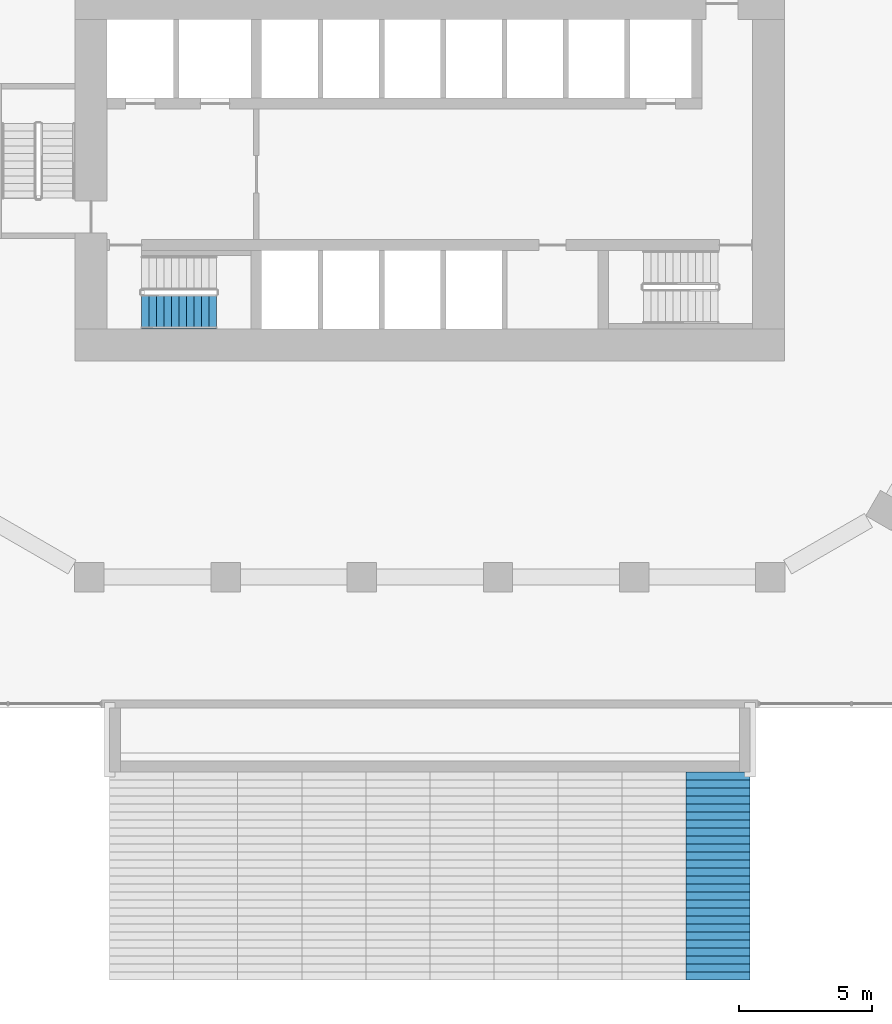
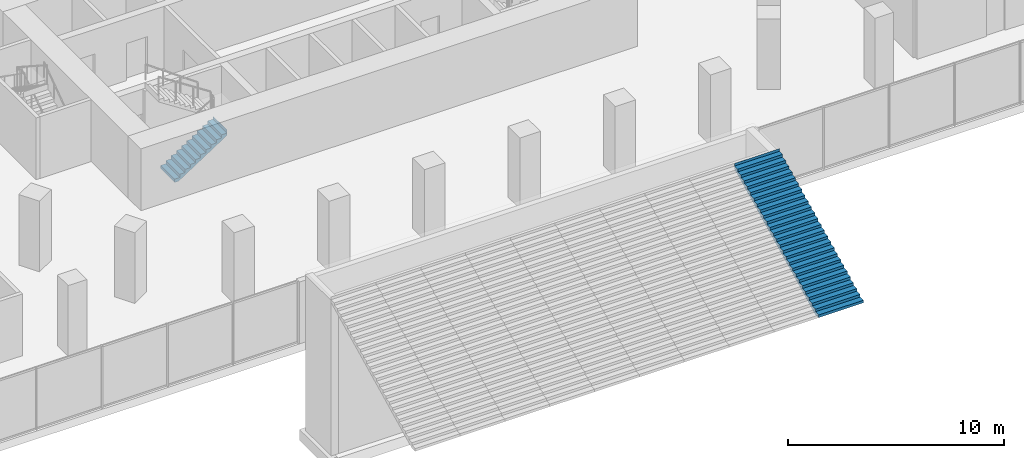
# One storey, part 32 of 45: 2 stair flights, 2 elements without a shape of their own.
"""IFC4 building model written with IfcOpenShell, lengths in metres."""

from ifc_helpers import new_model, si_unit, direction, frame, origin, place, context, subcontext, project, spatial, triangles, material, type_object, element, aggregate, save


model = new_model("IFC4")

# Units and contexts
model_context = context("Model", 3, precision=1e-05, world=origin(), true_north=direction((0.0, 1.0)))
body_context = subcontext(model_context, "Body", "Model", "MODEL_VIEW")
ifc_project = project(units=[si_unit("LENGTHUNIT", "METRE"), si_unit("AREAUNIT", "SQUARE_METRE"), si_unit("VOLUMEUNIT", "CUBIC_METRE"), si_unit("PLANEANGLEUNIT", "RADIAN"), si_unit("MASSUNIT", "GRAM", prefix="KILO")], contexts=[model_context])

# Site, building, storey
site_placement = place(None, origin())
site = spatial("IfcSite", under=ifc_project, at=site_placement, CompositionType="ELEMENT")
building_placement = place(site_placement, origin())
building = spatial("IfcBuilding", under=site, at=building_placement, Name="Beryl Residences", CompositionType="ELEMENT")
storey_placement = place(building_placement, frame((0.0, 0.0, 5.0)))
storey = spatial("IfcBuildingStorey", under=building, at=storey_placement, Name="L01", CompositionType="ELEMENT", Elevation=5.0)

# Stair, stair flight
ifc_material_1 = material(Name="Precast concrete C40/50", Category="concrete")
stair_type_1 = type_object("IfcStairType", Name="GS2 garden stair", PredefinedType="STRAIGHT_RUN_STAIR", material=ifc_material_1)
stair_1_placement = place(storey_placement, origin())
stair_1 = element("IfcStair", 1, at=stair_1_placement, inside=storey, type_object=stair_type_1, Name="GS2 garden stair", PredefinedType="STRAIGHT_RUN_STAIR")
ifc_material_2 = material(Name="Precast concrete C40/50", Category="concrete")
stair_flight_type_1 = type_object("IfcStairFlightType", Name="GF2 garden stair flight", PredefinedType="STRAIGHT", material=ifc_material_2)
stair_flight_1_placement = place(storey_placement, frame((10.800048828125, -42.199951171875, 0.0), z_axis=(0.0, 0.0, 1.0), x_axis=(0.0, 1.0, 0.0)))
stair_flight_1 = element("IfcStairFlight", 2, at=stair_flight_1_placement, type_object=stair_flight_type_1, Name="GS2 flight 10", NumberOfRisers=27, NumberOfTreads=26, PredefinedType="STRAIGHT", RiserHeight=0.148148148, TreadLength=0.3, context=body_context, shape_type="Tessellation", body=[
    triangles([(0.0, -1.199951171875, 0.0), (0.0, -0.60009765625, 0.0), (0.0, 0.0, 0.0), (0.0, 0.60009765625, 0.0), (0.0, 1.199951171875, 0.0), (0.0, -1.199951171875, 0.148193359375), (0.0, -0.60009765625, 0.148193359375), (0.0, 0.0, 0.148193359375), (0.0, 0.60009765625, 0.148193359375), (0.0, 1.199951171875, 0.148193359375), (0.300048828125, -1.199951171875, 0.148193359375), (0.300048828125, -0.60009765625, 0.148193359375), (0.300048828125, 0.0, 0.148193359375), (0.300048828125, 0.60009765625, 0.148193359375), (0.300048828125, 1.199951171875, 0.148193359375), (0.300048828125, -1.199951171875, 0.29638671875), (0.300048828125, -0.60009765625, 0.29638671875), (0.300048828125, 0.0, 0.29638671875), (0.300048828125, 0.60009765625, 0.29638671875), (0.300048828125, 1.199951171875, 0.29638671875), (0.60009765625, -1.199951171875, 0.29638671875), (0.60009765625, -0.60009765625, 0.29638671875), (0.60009765625, 0.0, 0.29638671875), (0.60009765625, 0.60009765625, 0.29638671875), (0.60009765625, 1.199951171875, 0.29638671875), (0.60009765625, -1.199951171875, 0.4443359375), (0.60009765625, -0.60009765625, 0.4443359375), (0.60009765625, 0.0, 0.4443359375), (0.60009765625, 0.60009765625, 0.4443359375), (0.60009765625, 1.199951171875, 0.4443359375), (0.89990234375, -1.199951171875, 0.4443359375), (0.89990234375, -0.60009765625, 0.4443359375), (0.89990234375, 0.0, 0.4443359375), (0.89990234375, 0.60009765625, 0.4443359375), (0.89990234375, 1.199951171875, 0.4443359375), (0.89990234375, -1.199951171875, 0.592529296875), (0.89990234375, -0.60009765625, 0.592529296875), (0.89990234375, 0.0, 0.592529296875), (0.89990234375, 0.60009765625, 0.592529296875), (0.89990234375, 1.199951171875, 0.592529296875), (1.199951171875, -1.199951171875, 0.592529296875), (1.199951171875, -0.60009765625, 0.592529296875), (1.199951171875, 0.0, 0.592529296875), (1.199951171875, 0.60009765625, 0.592529296875), (1.199951171875, 1.199951171875, 0.592529296875), (1.199951171875, -1.199951171875, 0.74072265625), (1.199951171875, -0.60009765625, 0.74072265625), (1.199951171875, 0.0, 0.74072265625), (1.199951171875, 0.60009765625, 0.74072265625), (1.199951171875, 1.199951171875, 0.74072265625), (1.5, -1.199951171875, 0.74072265625), (1.5, -0.60009765625, 0.74072265625), (1.5, 0.0, 0.74072265625), (1.5, 0.60009765625, 0.74072265625), (1.5, 1.199951171875, 0.74072265625), (1.5, -1.199951171875, 0.888916015625), (1.5, -0.60009765625, 0.888916015625), (1.5, 0.0, 0.888916015625), (1.5, 0.60009765625, 0.888916015625), (1.5, 1.199951171875, 0.888916015625), (1.800048828125, -1.199951171875, 0.888916015625), (1.800048828125, -0.60009765625, 0.888916015625), (1.800048828125, 0.0, 0.888916015625), (1.800048828125, 0.60009765625, 0.888916015625), (1.800048828125, 1.199951171875, 0.888916015625), (1.800048828125, -1.199951171875, 1.037109375), (1.800048828125, -0.60009765625, 1.037109375), (1.800048828125, 0.0, 1.037109375), (1.800048828125, 0.60009765625, 1.037109375), (1.800048828125, 1.199951171875, 1.037109375), (2.10009765625, -1.199951171875, 1.037109375), (2.10009765625, -0.60009765625, 1.037109375), (2.10009765625, 0.0, 1.037109375), (2.10009765625, 0.60009765625, 1.037109375), (2.10009765625, 1.199951171875, 1.037109375), (2.10009765625, -1.199951171875, 1.185302734375), (2.10009765625, -0.60009765625, 1.185302734375), (2.10009765625, 0.0, 1.185302734375), (2.10009765625, 0.60009765625, 1.185302734375), (2.10009765625, 1.199951171875, 1.185302734375), (2.39990234375, -1.199951171875, 1.185302734375), (2.39990234375, -0.60009765625, 1.185302734375), (2.39990234375, 0.0, 1.185302734375), (2.39990234375, 0.60009765625, 1.185302734375), (2.39990234375, 1.199951171875, 1.185302734375), (2.39990234375, -1.199951171875, 1.333251953125), (2.39990234375, -0.60009765625, 1.333251953125), (2.39990234375, 0.0, 1.333251953125), (2.39990234375, 0.60009765625, 1.333251953125), (2.39990234375, 1.199951171875, 1.333251953125), (2.699951171875, -1.199951171875, 1.333251953125), (2.699951171875, -0.60009765625, 1.333251953125), (2.699951171875, 0.0, 1.333251953125), (2.699951171875, 0.60009765625, 1.333251953125), (2.699951171875, 1.199951171875, 1.333251953125), (2.699951171875, -1.199951171875, 1.4814453125), (2.699951171875, -0.60009765625, 1.4814453125), (2.699951171875, 0.0, 1.4814453125), (2.699951171875, 0.60009765625, 1.4814453125), (2.699951171875, 1.199951171875, 1.4814453125), (3.0, -1.199951171875, 1.4814453125), (3.0, -0.60009765625, 1.4814453125), (3.0, 0.0, 1.4814453125), (3.0, 0.60009765625, 1.4814453125), (3.0, 1.199951171875, 1.4814453125), (3.0, -1.199951171875, 1.629638671875), (3.0, -0.60009765625, 1.629638671875), (3.0, 0.0, 1.629638671875), (3.0, 0.60009765625, 1.629638671875), (3.0, 1.199951171875, 1.629638671875), (3.300048828125, -1.199951171875, 1.629638671875), (3.300048828125, -0.60009765625, 1.629638671875), (3.300048828125, 0.0, 1.629638671875), (3.300048828125, 0.60009765625, 1.629638671875), (3.300048828125, 1.199951171875, 1.629638671875), (3.300048828125, -1.199951171875, 1.77783203125), (3.300048828125, -0.60009765625, 1.77783203125), (3.300048828125, 0.0, 1.77783203125), (3.300048828125, 0.60009765625, 1.77783203125), (3.300048828125, 1.199951171875, 1.77783203125), (3.60009765625, -1.199951171875, 1.77783203125), (3.60009765625, -0.60009765625, 1.77783203125), (3.60009765625, 0.0, 1.77783203125), (3.60009765625, 0.60009765625, 1.77783203125), (3.60009765625, 1.199951171875, 1.77783203125), (3.60009765625, -1.199951171875, 1.926025390625), (3.60009765625, -0.60009765625, 1.926025390625), (3.60009765625, 0.0, 1.926025390625), (3.60009765625, 0.60009765625, 1.926025390625), (3.60009765625, 1.199951171875, 1.926025390625), (3.89990234375, -1.199951171875, 1.926025390625), (3.89990234375, -0.60009765625, 1.926025390625), (3.89990234375, 0.0, 1.926025390625), (3.89990234375, 0.60009765625, 1.926025390625), (3.89990234375, 1.199951171875, 1.926025390625), (3.89990234375, -1.199951171875, 2.073974609375), (3.89990234375, -0.60009765625, 2.073974609375), (3.89990234375, 0.0, 2.073974609375), (3.89990234375, 0.60009765625, 2.073974609375), (3.89990234375, 1.199951171875, 2.073974609375), (4.199951171875, -1.199951171875, 2.073974609375), (4.199951171875, -0.60009765625, 2.073974609375), (4.199951171875, 0.0, 2.073974609375), (4.199951171875, 0.60009765625, 2.073974609375), (4.199951171875, 1.199951171875, 2.073974609375), (4.199951171875, -1.199951171875, 2.22216796875), (4.199951171875, -0.60009765625, 2.22216796875), (4.199951171875, 0.0, 2.22216796875), (4.199951171875, 0.60009765625, 2.22216796875), (4.199951171875, 1.199951171875, 2.22216796875), (4.5, -1.199951171875, 2.22216796875), (4.5, -0.60009765625, 2.22216796875), (4.5, 0.0, 2.22216796875), (4.5, 0.60009765625, 2.22216796875), (4.5, 1.199951171875, 2.22216796875), (4.5, -1.199951171875, 2.370361328125), (4.5, -0.60009765625, 2.370361328125), (4.5, 0.0, 2.370361328125), (4.5, 0.60009765625, 2.370361328125), (4.5, 1.199951171875, 2.370361328125), (4.800048828125, -1.199951171875, 2.370361328125), (4.800048828125, -0.60009765625, 2.370361328125), (4.800048828125, 0.0, 2.370361328125), (4.800048828125, 0.60009765625, 2.370361328125), (4.800048828125, 1.199951171875, 2.370361328125), (4.800048828125, -1.199951171875, 2.5185546875), (4.800048828125, -0.60009765625, 2.5185546875), (4.800048828125, 0.0, 2.5185546875), (4.800048828125, 0.60009765625, 2.5185546875), (4.800048828125, 1.199951171875, 2.5185546875), (5.10009765625, -1.199951171875, 2.5185546875), (5.10009765625, -0.60009765625, 2.5185546875), (5.10009765625, 0.0, 2.5185546875), (5.10009765625, 0.60009765625, 2.5185546875), (5.10009765625, 1.199951171875, 2.5185546875), (5.10009765625, -1.199951171875, 2.666748046875), (5.10009765625, -0.60009765625, 2.666748046875), (5.10009765625, 0.0, 2.666748046875), (5.10009765625, 0.60009765625, 2.666748046875), (5.10009765625, 1.199951171875, 2.666748046875), (5.39990234375, -1.199951171875, 2.666748046875), (5.39990234375, -0.60009765625, 2.666748046875), (5.39990234375, 0.0, 2.666748046875), (5.39990234375, 0.60009765625, 2.666748046875), (5.39990234375, 1.199951171875, 2.666748046875), (5.39990234375, -1.199951171875, 2.814697265625), (5.39990234375, -0.60009765625, 2.814697265625), (5.39990234375, 0.0, 2.814697265625), (5.39990234375, 0.60009765625, 2.814697265625), (5.39990234375, 1.199951171875, 2.814697265625), (5.699951171875, -1.199951171875, 2.814697265625), (5.699951171875, -0.60009765625, 2.814697265625), (5.699951171875, 0.0, 2.814697265625), (5.699951171875, 0.60009765625, 2.814697265625), (5.699951171875, 1.199951171875, 2.814697265625), (5.699951171875, -1.199951171875, 2.962890625), (5.699951171875, -0.60009765625, 2.962890625), (5.699951171875, 0.0, 2.962890625), (5.699951171875, 0.60009765625, 2.962890625), (5.699951171875, 1.199951171875, 2.962890625), (6.0, -1.199951171875, 2.962890625), (6.0, -0.60009765625, 2.962890625), (6.0, 0.0, 2.962890625), (6.0, 0.60009765625, 2.962890625), (6.0, 1.199951171875, 2.962890625), (6.0, -1.199951171875, 3.111083984375), (6.0, -0.60009765625, 3.111083984375), (6.0, 0.0, 3.111083984375), (6.0, 0.60009765625, 3.111083984375), (6.0, 1.199951171875, 3.111083984375), (6.300048828125, -1.199951171875, 3.111083984375), (6.300048828125, -0.60009765625, 3.111083984375), (6.300048828125, 0.0, 3.111083984375), (6.300048828125, 0.60009765625, 3.111083984375), (6.300048828125, 1.199951171875, 3.111083984375), (6.300048828125, -1.199951171875, 3.25927734375), (6.300048828125, -0.60009765625, 3.25927734375), (6.300048828125, 0.0, 3.25927734375), (6.300048828125, 0.60009765625, 3.25927734375), (6.300048828125, 1.199951171875, 3.25927734375), (6.60009765625, -1.199951171875, 3.25927734375), (6.60009765625, -0.60009765625, 3.25927734375), (6.60009765625, 0.0, 3.25927734375), (6.60009765625, 0.60009765625, 3.25927734375), (6.60009765625, 1.199951171875, 3.25927734375), (6.60009765625, -1.199951171875, 3.407470703125), (6.60009765625, -0.60009765625, 3.407470703125), (6.60009765625, 0.0, 3.407470703125), (6.60009765625, 0.60009765625, 3.407470703125), (6.60009765625, 1.199951171875, 3.407470703125), (6.89990234375, -1.199951171875, 3.407470703125), (6.89990234375, -0.60009765625, 3.407470703125), (6.89990234375, 0.0, 3.407470703125), (6.89990234375, 0.60009765625, 3.407470703125), (6.89990234375, 1.199951171875, 3.407470703125), (6.89990234375, -1.199951171875, 3.5556640625), (6.89990234375, -0.60009765625, 3.5556640625), (6.89990234375, 0.0, 3.5556640625), (6.89990234375, 0.60009765625, 3.5556640625), (6.89990234375, 1.199951171875, 3.5556640625), (7.199951171875, -1.199951171875, 3.5556640625), (7.199951171875, -0.60009765625, 3.5556640625), (7.199951171875, 0.0, 3.5556640625), (7.199951171875, 0.60009765625, 3.5556640625), (7.199951171875, 1.199951171875, 3.5556640625), (7.199951171875, -1.199951171875, 3.70361328125), (7.199951171875, -0.60009765625, 3.70361328125), (7.199951171875, 0.0, 3.70361328125), (7.199951171875, 0.60009765625, 3.70361328125), (7.199951171875, 1.199951171875, 3.70361328125), (7.5, -1.199951171875, 3.70361328125), (7.5, -0.60009765625, 3.70361328125), (7.5, 0.0, 3.70361328125), (7.5, 0.60009765625, 3.70361328125), (7.5, 1.199951171875, 3.70361328125), (7.5, -1.199951171875, 3.851806640625), (7.5, -0.60009765625, 3.851806640625), (7.5, 0.0, 3.851806640625), (7.5, 0.60009765625, 3.851806640625), (7.5, 1.199951171875, 3.851806640625), (7.800048828125, -1.199951171875, 3.851806640625), (7.800048828125, -0.60009765625, 3.851806640625), (7.800048828125, 0.0, 3.851806640625), (7.800048828125, 0.60009765625, 3.851806640625), (7.800048828125, 1.199951171875, 3.851806640625), (7.800048828125, -1.199951171875, 4.0), (7.800048828125, -0.60009765625, 4.0), (7.800048828125, 0.0, 4.0), (7.800048828125, 0.60009765625, 4.0), (7.800048828125, 1.199951171875, 4.0), (7.801025390625, -1.199951171875, 4.0), (7.801025390625, -0.60009765625, 4.0), (7.801025390625, 0.0, 4.0), (7.801025390625, 0.60009765625, 4.0), (7.801025390625, 1.199951171875, 4.0), (7.801025390625, -1.199951171875, 3.6845703125), (7.801025390625, -0.60009765625, 3.6845703125), (7.801025390625, 0.0, 3.6845703125), (7.801025390625, 0.60009765625, 3.6845703125), (7.801025390625, 1.199951171875, 3.6845703125), (0.339599609375, -1.199951171875, 0.0), (0.339599609375, -0.60009765625, 0.0), (0.339599609375, 0.0, 0.0), (0.339599609375, 0.60009765625, 0.0), (0.339599609375, 1.199951171875, 0.0)], [[1, 6, 7], [1, 7, 2], [2, 7, 8], [2, 8, 3], [3, 8, 9], [3, 9, 4], [4, 9, 10], [4, 10, 5], [6, 11, 12], [6, 12, 7], [7, 12, 13], [7, 13, 8], [8, 13, 14], [8, 14, 9], [9, 14, 15], [9, 15, 10], [11, 16, 17], [11, 17, 12], [12, 17, 18], [12, 18, 13], [13, 18, 19], [13, 19, 14], [14, 19, 20], [14, 20, 15], [16, 21, 22], [16, 22, 17], [17, 22, 23], [17, 23, 18], [18, 23, 24], [18, 24, 19], [19, 24, 25], [19, 25, 20], [21, 26, 27], [21, 27, 22], [22, 27, 28], [22, 28, 23], [23, 28, 29], [23, 29, 24], [24, 29, 30], [24, 30, 25], [26, 31, 32], [26, 32, 27], [27, 32, 33], [27, 33, 28], [28, 33, 34], [28, 34, 29], [29, 34, 35], [29, 35, 30], [31, 36, 37], [31, 37, 32], [32, 37, 38], [32, 38, 33], [33, 38, 39], [33, 39, 34], [34, 39, 40], [34, 40, 35], [36, 41, 42], [36, 42, 37], [37, 42, 43], [37, 43, 38], [38, 43, 44], [38, 44, 39], [39, 44, 45], [39, 45, 40], [41, 46, 47], [41, 47, 42], [42, 47, 48], [42, 48, 43], [43, 48, 49], [43, 49, 44], [44, 49, 50], [44, 50, 45], [46, 51, 52], [46, 52, 47], [47, 52, 53], [47, 53, 48], [48, 53, 54], [48, 54, 49], [49, 54, 55], [49, 55, 50], [51, 56, 57], [51, 57, 52], [52, 57, 58], [52, 58, 53], [53, 58, 59], [53, 59, 54], [54, 59, 60], [54, 60, 55], [56, 61, 62], [56, 62, 57], [57, 62, 63], [57, 63, 58], [58, 63, 64], [58, 64, 59], [59, 64, 65], [59, 65, 60], [61, 66, 67], [61, 67, 62], [62, 67, 68], [62, 68, 63], [63, 68, 69], [63, 69, 64], [64, 69, 70], [64, 70, 65], [66, 71, 72], [66, 72, 67], [67, 72, 73], [67, 73, 68], [68, 73, 74], [68, 74, 69], [69, 74, 75], [69, 75, 70], [71, 76, 77], [71, 77, 72], [72, 77, 78], [72, 78, 73], [73, 78, 79], [73, 79, 74], [74, 79, 80], [74, 80, 75], [76, 81, 82], [76, 82, 77], [77, 82, 83], [77, 83, 78], [78, 83, 84], [78, 84, 79], [79, 84, 85], [79, 85, 80], [81, 86, 87], [81, 87, 82], [82, 87, 88], [82, 88, 83], [83, 88, 89], [83, 89, 84], [84, 89, 90], [84, 90, 85], [86, 91, 92], [86, 92, 87], [87, 92, 93], [87, 93, 88], [88, 93, 94], [88, 94, 89], [89, 94, 95], [89, 95, 90], [91, 96, 97], [91, 97, 92], [92, 97, 98], [92, 98, 93], [93, 98, 99], [93, 99, 94], [94, 99, 100], [94, 100, 95], [96, 101, 102], [96, 102, 97], [97, 102, 103], [97, 103, 98], [98, 103, 104], [98, 104, 99], [99, 104, 105], [99, 105, 100], [101, 106, 107], [101, 107, 102], [102, 107, 108], [102, 108, 103], [103, 108, 109], [103, 109, 104], [104, 109, 110], [104, 110, 105], [106, 111, 112], [106, 112, 107], [107, 112, 113], [107, 113, 108], [108, 113, 114], [108, 114, 109], [109, 114, 115], [109, 115, 110], [111, 116, 117], [111, 117, 112], [112, 117, 118], [112, 118, 113], [113, 118, 119], [113, 119, 114], [114, 119, 120], [114, 120, 115], [116, 121, 122], [116, 122, 117], [117, 122, 123], [117, 123, 118], [118, 123, 124], [118, 124, 119], [119, 124, 125], [119, 125, 120], [121, 126, 127], [121, 127, 122], [122, 127, 128], [122, 128, 123], [123, 128, 129], [123, 129, 124], [124, 129, 130], [124, 130, 125], [126, 131, 132], [126, 132, 127], [127, 132, 133], [127, 133, 128], [128, 133, 134], [128, 134, 129], [129, 134, 135], [129, 135, 130], [131, 136, 137], [131, 137, 132], [132, 137, 138], [132, 138, 133], [133, 138, 139], [133, 139, 134], [134, 139, 140], [134, 140, 135], [136, 141, 142], [136, 142, 137], [137, 142, 143], [137, 143, 138], [138, 143, 144], [138, 144, 139], [139, 144, 145], [139, 145, 140], [141, 146, 147], [141, 147, 142], [142, 147, 148], [142, 148, 143], [143, 148, 149], [143, 149, 144], [144, 149, 150], [144, 150, 145], [146, 151, 152], [146, 152, 147], [147, 152, 153], [147, 153, 148], [148, 153, 154], [148, 154, 149], [149, 154, 155], [149, 155, 150], [151, 156, 157], [151, 157, 152], [152, 157, 158], [152, 158, 153], [153, 158, 159], [153, 159, 154], [154, 159, 160], [154, 160, 155], [156, 161, 162], [156, 162, 157], [157, 162, 163], [157, 163, 158], [158, 163, 164], [158, 164, 159], [159, 164, 165], [159, 165, 160], [161, 166, 167], [161, 167, 162], [162, 167, 168], [162, 168, 163], [163, 168, 169], [163, 169, 164], [164, 169, 170], [164, 170, 165], [166, 171, 172], [166, 172, 167], [167, 172, 173], [167, 173, 168], [168, 173, 174], [168, 174, 169], [169, 174, 175], [169, 175, 170], [171, 176, 177], [171, 177, 172], [172, 177, 178], [172, 178, 173], [173, 178, 179], [173, 179, 174], [174, 179, 180], [174, 180, 175], [176, 181, 182], [176, 182, 177], [177, 182, 183], [177, 183, 178], [178, 183, 184], [178, 184, 179], [179, 184, 185], [179, 185, 180], [181, 186, 187], [181, 187, 182], [182, 187, 188], [182, 188, 183], [183, 188, 189], [183, 189, 184], [184, 189, 190], [184, 190, 185], [186, 191, 192], [186, 192, 187], [187, 192, 193], [187, 193, 188], [188, 193, 194], [188, 194, 189], [189, 194, 195], [189, 195, 190], [191, 196, 197], [191, 197, 192], [192, 197, 198], [192, 198, 193], [193, 198, 199], [193, 199, 194], [194, 199, 200], [194, 200, 195], [196, 201, 202], [196, 202, 197], [197, 202, 203], [197, 203, 198], [198, 203, 204], [198, 204, 199], [199, 204, 205], [199, 205, 200], [201, 206, 207], [201, 207, 202], [202, 207, 208], [202, 208, 203], [203, 208, 209], [203, 209, 204], [204, 209, 210], [204, 210, 205], [206, 211, 212], [206, 212, 207], [207, 212, 213], [207, 213, 208], [208, 213, 214], [208, 214, 209], [209, 214, 215], [209, 215, 210], [211, 216, 217], [211, 217, 212], [212, 217, 218], [212, 218, 213], [213, 218, 219], [213, 219, 214], [214, 219, 220], [214, 220, 215], [216, 221, 222], [216, 222, 217], [217, 222, 223], [217, 223, 218], [218, 223, 224], [218, 224, 219], [219, 224, 225], [219, 225, 220], [221, 226, 227], [221, 227, 222], [222, 227, 228], [222, 228, 223], [223, 228, 229], [223, 229, 224], [224, 229, 230], [224, 230, 225], [226, 231, 232], [226, 232, 227], [227, 232, 233], [227, 233, 228], [228, 233, 234], [228, 234, 229], [229, 234, 235], [229, 235, 230], [231, 236, 237], [231, 237, 232], [232, 237, 238], [232, 238, 233], [233, 238, 239], [233, 239, 234], [234, 239, 240], [234, 240, 235], [236, 241, 242], [236, 242, 237], [237, 242, 243], [237, 243, 238], [238, 243, 244], [238, 244, 239], [239, 244, 245], [239, 245, 240], [241, 246, 247], [241, 247, 242], [242, 247, 248], [242, 248, 243], [243, 248, 249], [243, 249, 244], [244, 249, 250], [244, 250, 245], [246, 251, 252], [246, 252, 247], [247, 252, 253], [247, 253, 248], [248, 253, 254], [248, 254, 249], [249, 254, 255], [249, 255, 250], [251, 256, 257], [251, 257, 252], [252, 257, 258], [252, 258, 253], [253, 258, 259], [253, 259, 254], [254, 259, 260], [254, 260, 255], [256, 261, 262], [256, 262, 257], [257, 262, 263], [257, 263, 258], [258, 263, 264], [258, 264, 259], [259, 264, 265], [259, 265, 260], [261, 266, 267], [261, 267, 262], [262, 267, 268], [262, 268, 263], [263, 268, 269], [263, 269, 264], [264, 269, 270], [264, 270, 265], [266, 271, 272], [266, 272, 267], [267, 272, 273], [267, 273, 268], [268, 273, 274], [268, 274, 269], [269, 274, 275], [269, 275, 270], [271, 276, 277], [271, 277, 272], [272, 277, 278], [272, 278, 273], [273, 278, 279], [273, 279, 274], [274, 279, 280], [274, 280, 275], [276, 281, 282], [276, 282, 277], [277, 282, 283], [277, 283, 278], [278, 283, 284], [278, 284, 279], [279, 284, 285], [279, 285, 280], [281, 1, 2], [281, 2, 282], [282, 2, 3], [282, 3, 283], [283, 3, 4], [283, 4, 284], [284, 4, 5], [284, 5, 285], [1, 281, 276], [5, 280, 285], [276, 271, 266], [280, 270, 275], [276, 266, 261], [280, 265, 270], [276, 261, 256], [280, 260, 265], [276, 256, 251], [280, 255, 260], [276, 251, 246], [280, 250, 255], [276, 246, 241], [280, 245, 250], [241, 236, 231], [245, 235, 240], [276, 241, 231], [280, 235, 245], [231, 226, 221], [235, 225, 230], [276, 231, 221], [280, 225, 235], [221, 216, 211], [225, 215, 220], [276, 221, 211], [280, 215, 225], [211, 206, 201], [215, 205, 210], [276, 211, 201], [280, 205, 215], [201, 196, 191], [205, 195, 200], [276, 201, 191], [280, 195, 205], [191, 186, 181], [195, 185, 190], [276, 191, 181], [280, 185, 195], [181, 176, 171], [185, 175, 180], [276, 181, 171], [280, 175, 185], [171, 166, 161], [175, 165, 170], [276, 171, 161], [280, 165, 175], [161, 156, 151], [165, 155, 160], [276, 161, 151], [280, 155, 165], [151, 146, 141], [155, 145, 150], [276, 151, 141], [280, 145, 155], [141, 136, 131], [145, 135, 140], [276, 141, 131], [280, 135, 145], [131, 126, 121], [135, 125, 130], [276, 131, 121], [280, 125, 135], [121, 116, 111], [125, 115, 120], [276, 121, 111], [280, 115, 125], [111, 106, 101], [115, 105, 110], [276, 111, 101], [280, 105, 115], [101, 96, 91], [105, 95, 100], [276, 101, 91], [280, 95, 105], [91, 86, 81], [95, 85, 90], [276, 91, 81], [280, 85, 95], [81, 76, 71], [85, 75, 80], [276, 81, 71], [280, 75, 85], [71, 66, 61], [75, 65, 70], [276, 71, 61], [280, 65, 75], [61, 56, 51], [65, 55, 60], [276, 61, 51], [280, 55, 65], [51, 46, 41], [55, 45, 50], [276, 51, 41], [280, 45, 55], [41, 36, 31], [45, 35, 40], [276, 41, 31], [280, 35, 45], [1, 276, 31], [5, 35, 280], [31, 26, 21], [35, 25, 30], [21, 16, 11], [25, 15, 20], [31, 21, 11], [35, 15, 25], [1, 31, 11], [5, 15, 35], [11, 6, 1], [15, 5, 10]], closed=True),
])
aggregate(stair_1, [stair_flight_1])

ifc_material_3 = material(Name="Concrete C40/50", Category="concrete")
stair_type_2 = type_object("IfcStairType", Name="ST1 protected exit stair, half-turn, 1300 mm flights", PredefinedType="HALF_TURN_STAIR", material=ifc_material_3)
stair_2_placement = place(storey_placement, origin())
stair_2 = element("IfcStair", 3, at=stair_2_placement, inside=storey, type_object=stair_type_2, Name="L01 PROTECTED EXIT STAIR ST-1", PredefinedType="HALF_TURN_STAIR")
ifc_material_4 = material(Name="Concrete C40/50", Category="concrete")
stair_flight_type_2 = type_object("IfcStairFlightType", Name="SF1 stair flight 1300 mm", PredefinedType="STRAIGHT", material=ifc_material_4)
stair_flight_2_placement = place(storey_placement, frame((-10.800048828125, -17.14990234375, 0.0), z_axis=(0.0, 0.0, 1.0), x_axis=(1.0, 0.0, 0.0)))
stair_flight_2 = element("IfcStairFlight", 4, at=stair_flight_2_placement, type_object=stair_flight_type_2, Name="ST-1 flight 1", NumberOfRisers=11, NumberOfTreads=10, PredefinedType="STRAIGHT", RiserHeight=0.181818182, TreadLength=0.28, context=body_context, shape_type="Tessellation", body=[
    triangles([(0.0, -0.64990234375, 0.0), (0.0, -0.324951171875, 0.0), (0.0, 0.0, 0.0), (0.0, 0.324951171875, 0.0), (0.0, 0.64990234375, 0.0), (0.0, -0.64990234375, 0.181884765625), (0.0, -0.324951171875, 0.181884765625), (0.0, 0.0, 0.181884765625), (0.0, 0.324951171875, 0.181884765625), (0.0, 0.64990234375, 0.181884765625), (0.280029296875, -0.64990234375, 0.181884765625), (0.280029296875, -0.324951171875, 0.181884765625), (0.280029296875, 0.0, 0.181884765625), (0.280029296875, 0.324951171875, 0.181884765625), (0.280029296875, 0.64990234375, 0.181884765625), (0.280029296875, -0.64990234375, 0.363525390625), (0.280029296875, -0.324951171875, 0.363525390625), (0.280029296875, 0.0, 0.363525390625), (0.280029296875, 0.324951171875, 0.363525390625), (0.280029296875, 0.64990234375, 0.363525390625), (0.56005859375, -0.64990234375, 0.363525390625), (0.56005859375, -0.324951171875, 0.363525390625), (0.56005859375, 0.0, 0.363525390625), (0.56005859375, 0.324951171875, 0.363525390625), (0.56005859375, 0.64990234375, 0.363525390625), (0.56005859375, -0.64990234375, 0.54541015625), (0.56005859375, -0.324951171875, 0.54541015625), (0.56005859375, 0.0, 0.54541015625), (0.56005859375, 0.324951171875, 0.54541015625), (0.56005859375, 0.64990234375, 0.54541015625), (0.840087890625, -0.64990234375, 0.54541015625), (0.840087890625, -0.324951171875, 0.54541015625), (0.840087890625, 0.0, 0.54541015625), (0.840087890625, 0.324951171875, 0.54541015625), (0.840087890625, 0.64990234375, 0.54541015625), (0.840087890625, -0.64990234375, 0.727294921875), (0.840087890625, -0.324951171875, 0.727294921875), (0.840087890625, 0.0, 0.727294921875), (0.840087890625, 0.324951171875, 0.727294921875), (0.840087890625, 0.64990234375, 0.727294921875), (1.1201171875, -0.64990234375, 0.727294921875), (1.1201171875, -0.324951171875, 0.727294921875), (1.1201171875, 0.0, 0.727294921875), (1.1201171875, 0.324951171875, 0.727294921875), (1.1201171875, 0.64990234375, 0.727294921875), (1.1201171875, -0.64990234375, 0.9091796875), (1.1201171875, -0.324951171875, 0.9091796875), (1.1201171875, 0.0, 0.9091796875), (1.1201171875, 0.324951171875, 0.9091796875), (1.1201171875, 0.64990234375, 0.9091796875), (1.39990234375, -0.64990234375, 0.9091796875), (1.39990234375, -0.324951171875, 0.9091796875), (1.39990234375, 0.0, 0.9091796875), (1.39990234375, 0.324951171875, 0.9091796875), (1.39990234375, 0.64990234375, 0.9091796875), (1.39990234375, -0.64990234375, 1.0908203125), (1.39990234375, -0.324951171875, 1.0908203125), (1.39990234375, 0.0, 1.0908203125), (1.39990234375, 0.324951171875, 1.0908203125), (1.39990234375, 0.64990234375, 1.0908203125), (1.679931640625, -0.64990234375, 1.0908203125), (1.679931640625, -0.324951171875, 1.0908203125), (1.679931640625, 0.0, 1.0908203125), (1.679931640625, 0.324951171875, 1.0908203125), (1.679931640625, 0.64990234375, 1.0908203125), (1.679931640625, -0.64990234375, 1.272705078125), (1.679931640625, -0.324951171875, 1.272705078125), (1.679931640625, 0.0, 1.272705078125), (1.679931640625, 0.324951171875, 1.272705078125), (1.679931640625, 0.64990234375, 1.272705078125), (1.9599609375, -0.64990234375, 1.272705078125), (1.9599609375, -0.324951171875, 1.272705078125), (1.9599609375, 0.0, 1.272705078125), (1.9599609375, 0.324951171875, 1.272705078125), (1.9599609375, 0.64990234375, 1.272705078125), (1.9599609375, -0.64990234375, 1.45458984375), (1.9599609375, -0.324951171875, 1.45458984375), (1.9599609375, 0.0, 1.45458984375), (1.9599609375, 0.324951171875, 1.45458984375), (1.9599609375, 0.64990234375, 1.45458984375), (2.239990234375, -0.64990234375, 1.45458984375), (2.239990234375, -0.324951171875, 1.45458984375), (2.239990234375, 0.0, 1.45458984375), (2.239990234375, 0.324951171875, 1.45458984375), (2.239990234375, 0.64990234375, 1.45458984375), (2.239990234375, -0.64990234375, 1.636474609375), (2.239990234375, -0.324951171875, 1.636474609375), (2.239990234375, 0.0, 1.636474609375), (2.239990234375, 0.324951171875, 1.636474609375), (2.239990234375, 0.64990234375, 1.636474609375), (2.52001953125, -0.64990234375, 1.636474609375), (2.52001953125, -0.324951171875, 1.636474609375), (2.52001953125, 0.0, 1.636474609375), (2.52001953125, 0.324951171875, 1.636474609375), (2.52001953125, 0.64990234375, 1.636474609375), (2.52001953125, -0.64990234375, 1.818115234375), (2.52001953125, -0.324951171875, 1.818115234375), (2.52001953125, 0.0, 1.818115234375), (2.52001953125, 0.324951171875, 1.818115234375), (2.52001953125, 0.64990234375, 1.818115234375), (2.800048828125, -0.64990234375, 1.818115234375), (2.800048828125, -0.324951171875, 1.818115234375), (2.800048828125, 0.0, 1.818115234375), (2.800048828125, 0.324951171875, 1.818115234375), (2.800048828125, 0.64990234375, 1.818115234375), (2.800048828125, -0.64990234375, 2.0), (2.800048828125, -0.324951171875, 2.0), (2.800048828125, 0.0, 2.0), (2.800048828125, 0.324951171875, 2.0), (2.800048828125, 0.64990234375, 2.0), (2.801025390625, -0.64990234375, 2.0), (2.801025390625, -0.324951171875, 2.0), (2.801025390625, 0.0, 2.0), (2.801025390625, 0.324951171875, 2.0), (2.801025390625, 0.64990234375, 2.0), (2.801025390625, -0.64990234375, 1.675048828125), (2.801025390625, -0.324951171875, 1.675048828125), (2.801025390625, 0.0, 1.675048828125), (2.801025390625, 0.324951171875, 1.675048828125), (2.801025390625, 0.64990234375, 1.675048828125), (0.221435546875, -0.64990234375, 0.0), (0.221435546875, -0.324951171875, 0.0), (0.221435546875, 0.0, 0.0), (0.221435546875, 0.324951171875, 0.0), (0.221435546875, 0.64990234375, 0.0)], [[1, 6, 7], [1, 7, 2], [2, 7, 8], [2, 8, 3], [3, 8, 9], [3, 9, 4], [4, 9, 10], [4, 10, 5], [6, 11, 12], [6, 12, 7], [7, 12, 13], [7, 13, 8], [8, 13, 14], [8, 14, 9], [9, 14, 15], [9, 15, 10], [11, 16, 17], [11, 17, 12], [12, 17, 18], [12, 18, 13], [13, 18, 19], [13, 19, 14], [14, 19, 20], [14, 20, 15], [16, 21, 22], [16, 22, 17], [17, 22, 23], [17, 23, 18], [18, 23, 24], [18, 24, 19], [19, 24, 25], [19, 25, 20], [21, 26, 27], [21, 27, 22], [22, 27, 28], [22, 28, 23], [23, 28, 29], [23, 29, 24], [24, 29, 30], [24, 30, 25], [26, 31, 32], [26, 32, 27], [27, 32, 33], [27, 33, 28], [28, 33, 34], [28, 34, 29], [29, 34, 35], [29, 35, 30], [31, 36, 37], [31, 37, 32], [32, 37, 38], [32, 38, 33], [33, 38, 39], [33, 39, 34], [34, 39, 40], [34, 40, 35], [36, 41, 42], [36, 42, 37], [37, 42, 43], [37, 43, 38], [38, 43, 44], [38, 44, 39], [39, 44, 45], [39, 45, 40], [41, 46, 47], [41, 47, 42], [42, 47, 48], [42, 48, 43], [43, 48, 49], [43, 49, 44], [44, 49, 50], [44, 50, 45], [46, 51, 52], [46, 52, 47], [47, 52, 53], [47, 53, 48], [48, 53, 54], [48, 54, 49], [49, 54, 55], [49, 55, 50], [51, 56, 57], [51, 57, 52], [52, 57, 58], [52, 58, 53], [53, 58, 59], [53, 59, 54], [54, 59, 60], [54, 60, 55], [56, 61, 62], [56, 62, 57], [57, 62, 63], [57, 63, 58], [58, 63, 64], [58, 64, 59], [59, 64, 65], [59, 65, 60], [61, 66, 67], [61, 67, 62], [62, 67, 68], [62, 68, 63], [63, 68, 69], [63, 69, 64], [64, 69, 70], [64, 70, 65], [66, 71, 72], [66, 72, 67], [67, 72, 73], [67, 73, 68], [68, 73, 74], [68, 74, 69], [69, 74, 75], [69, 75, 70], [71, 76, 77], [71, 77, 72], [72, 77, 78], [72, 78, 73], [73, 78, 79], [73, 79, 74], [74, 79, 80], [74, 80, 75], [76, 81, 82], [76, 82, 77], [77, 82, 83], [77, 83, 78], [78, 83, 84], [78, 84, 79], [79, 84, 85], [79, 85, 80], [81, 86, 87], [81, 87, 82], [82, 87, 88], [82, 88, 83], [83, 88, 89], [83, 89, 84], [84, 89, 90], [84, 90, 85], [86, 91, 92], [86, 92, 87], [87, 92, 93], [87, 93, 88], [88, 93, 94], [88, 94, 89], [89, 94, 95], [89, 95, 90], [91, 96, 97], [91, 97, 92], [92, 97, 98], [92, 98, 93], [93, 98, 99], [93, 99, 94], [94, 99, 100], [94, 100, 95], [96, 101, 102], [96, 102, 97], [97, 102, 103], [97, 103, 98], [98, 103, 104], [98, 104, 99], [99, 104, 105], [99, 105, 100], [101, 106, 107], [101, 107, 102], [102, 107, 108], [102, 108, 103], [103, 108, 109], [103, 109, 104], [104, 109, 110], [104, 110, 105], [106, 111, 112], [106, 112, 107], [107, 112, 113], [107, 113, 108], [108, 113, 114], [108, 114, 109], [109, 114, 115], [109, 115, 110], [111, 116, 117], [111, 117, 112], [112, 117, 118], [112, 118, 113], [113, 118, 119], [113, 119, 114], [114, 119, 120], [114, 120, 115], [116, 121, 122], [116, 122, 117], [117, 122, 123], [117, 123, 118], [118, 123, 124], [118, 124, 119], [119, 124, 125], [119, 125, 120], [121, 1, 2], [121, 2, 122], [122, 2, 3], [122, 3, 123], [123, 3, 4], [123, 4, 124], [124, 4, 5], [124, 5, 125], [1, 121, 116], [5, 120, 125], [116, 111, 106], [120, 110, 115], [116, 106, 101], [120, 105, 110], [116, 101, 96], [120, 100, 105], [116, 96, 91], [120, 95, 100], [91, 86, 81], [95, 85, 90], [116, 91, 81], [120, 85, 95], [81, 76, 71], [85, 75, 80], [116, 81, 71], [120, 75, 85], [71, 66, 61], [75, 65, 70], [116, 71, 61], [120, 65, 75], [61, 56, 51], [65, 55, 60], [116, 61, 51], [120, 55, 65], [51, 46, 41], [55, 45, 50], [116, 51, 41], [120, 45, 55], [41, 36, 31], [45, 35, 40], [116, 41, 31], [120, 35, 45], [31, 26, 21], [35, 25, 30], [116, 31, 21], [120, 25, 35], [1, 116, 21], [5, 25, 120], [21, 16, 11], [25, 15, 20], [1, 21, 11], [5, 15, 25], [11, 6, 1], [15, 5, 10]], closed=True),
])
aggregate(stair_2, [stair_flight_2])

save(model, "model.ifc")
